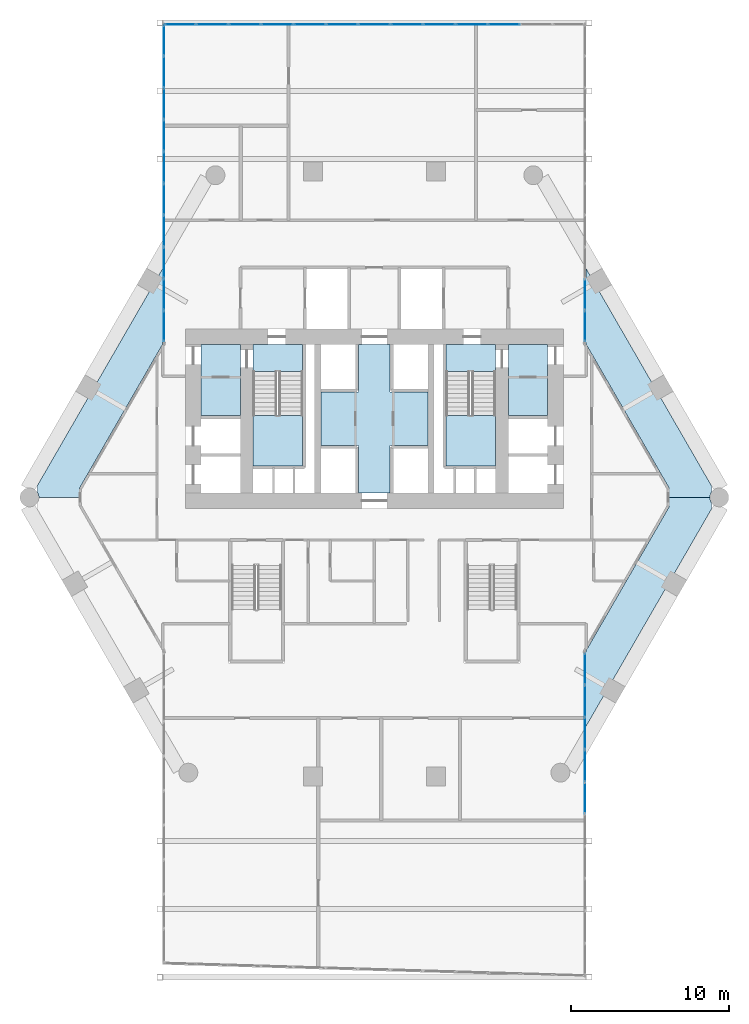
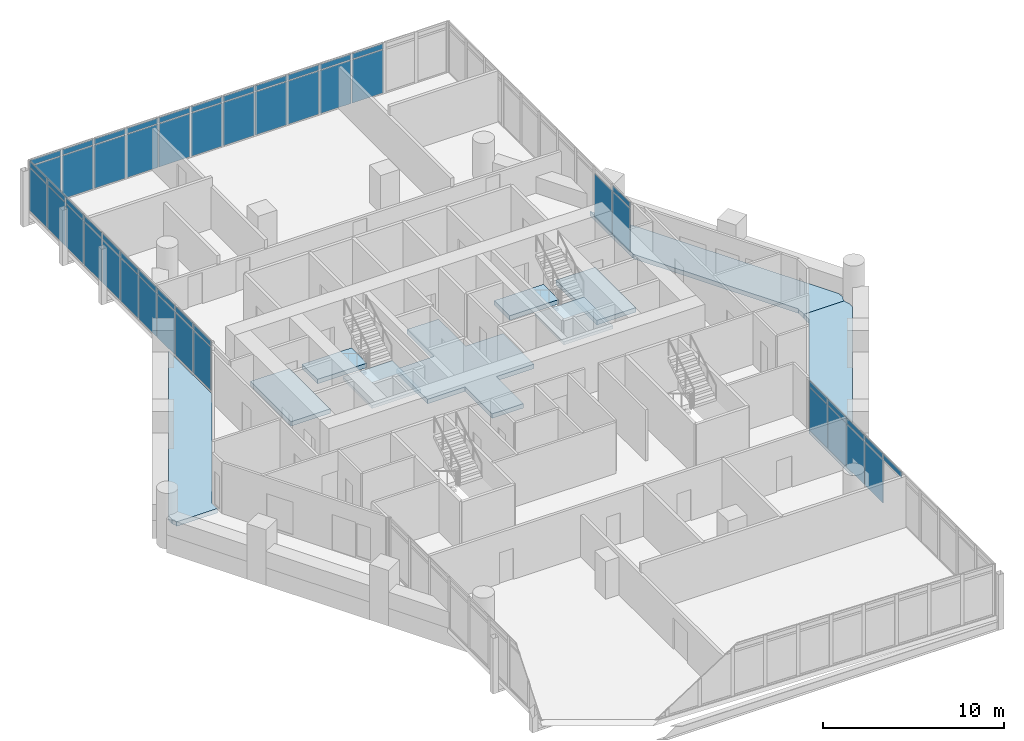
# One storey, part 21 of 28: 54 plates, 10 slabs, 6 elements without a shape of their own.
"""IFC4 building model written with IfcOpenShell, lengths in metres."""

from ifc_helpers import new_model, si_unit, direction, frame, origin, origin_2d, place, context, subcontext, project, spatial, polyline, rectangle, outline, extrude, material, layer, layer_set, type_object, element, aggregate, save


model = new_model("IFC4")

# Units and contexts
model_context = context("Model", 3, precision=1e-05, world=origin(), true_north=direction((0.0, 1.0)))
body_context = subcontext(model_context, "Body", "Model", "MODEL_VIEW")
ifc_project = project(units=[si_unit("LENGTHUNIT", "METRE"), si_unit("AREAUNIT", "SQUARE_METRE"), si_unit("VOLUMEUNIT", "CUBIC_METRE"), si_unit("PLANEANGLEUNIT", "RADIAN"), si_unit("MASSUNIT", "GRAM", prefix="KILO")], contexts=[model_context])

# Site, building, storey
site_placement = place(None, origin())
site = spatial("IfcSite", under=ifc_project, at=site_placement, CompositionType="ELEMENT")
building_placement = place(site_placement, origin())
building = spatial("IfcBuilding", under=site, at=building_placement, Name="Ostrander Bayou Hotel Tower", CompositionType="ELEMENT")
storey_placement = place(building_placement, frame((0.0, 0.0, 134.75)))
storey = spatial("IfcBuildingStorey", under=building, at=storey_placement, Name="L33", CompositionType="ELEMENT", Elevation=134.75)

# Curtain wall, plates
ifc_material_1 = material(Name="Aluminium and clear glass", Category="aluminium")
curtain_wall_type = type_object("IfcCurtainWallType", Name="CW-BAR glazed wall", PredefinedType="NOTDEFINED", material=ifc_material_1)
curtain_wall_1_placement = place(storey_placement, origin())
curtain_wall_1 = element("IfcCurtainWall", 1, at=curtain_wall_1_placement, inside=storey, type_object=curtain_wall_type, Name="CW-BAR L33:SB3S:W", PredefinedType="NOTDEFINED")
ifc_material_2 = material(Name="Clear laminated glass", Category="glass")
ifc_layer_1 = layer(ifc_material_2, 0.028076171875)
ifc_layer_set_1 = layer_set([ifc_layer_1], Name="CW-BR glazing panel 28 mm")
plate_type = type_object("IfcPlateType", Name="CW-BR glazing panel 28 mm", PredefinedType="CURTAIN_PANEL", material=ifc_layer_set_1)
plate_1_placement = place(storey_placement, frame((13.3671875, -11.88720703125, 0.06005859375), z_axis=(0.0, 0.0, 1.0), x_axis=(0.0, -1.0, 0.0)))
plate_1 = element("IfcPlate", 2, at=plate_1_placement, type_object=plate_type, Name="CW-BAR panel 1.1", PredefinedType="CURTAIN_PANEL", context=body_context, shape_type="SweptSolid", body=[
    extrude(rectangle(XDim=1.9599609375, YDim=0.028076171875, at=origin_2d()), origin(), (0.0, 0.0, 1.0), 2.909912109375),
])
plate_2_placement = place(storey_placement, frame((13.3671875, -11.88720703125, 3.02978515625), z_axis=(0.0, 0.0, 1.0), x_axis=(0.0, -1.0, 0.0)))
plate_2 = element("IfcPlate", 3, at=plate_2_placement, type_object=plate_type, Name="CW-BAR panel 1.2", PredefinedType="CURTAIN_PANEL", context=body_context, shape_type="SweptSolid", body=[
    extrude(rectangle(XDim=1.9599609375, YDim=0.028076171875, at=origin_2d()), origin(), (0.0, 0.0, 1.0), 0.360107421875),
])
plate_3_placement = place(storey_placement, frame((13.3671875, -13.92236328125, 0.06005859375), z_axis=(0.0, 0.0, 1.0), x_axis=(0.0, -1.0, 0.0)))
plate_3 = element("IfcPlate", 4, at=plate_3_placement, type_object=plate_type, Name="CW-BAR panel 2.1", PredefinedType="CURTAIN_PANEL", context=body_context, shape_type="SweptSolid", body=[
    extrude(rectangle(XDim=1.989990234375, YDim=0.028076171875, at=origin_2d()), origin(), (0.0, 0.0, 1.0), 2.909912109375),
])
plate_4_placement = place(storey_placement, frame((13.3671875, -13.92236328125, 3.02978515625), z_axis=(0.0, 0.0, 1.0), x_axis=(0.0, -1.0, 0.0)))
plate_4 = element("IfcPlate", 5, at=plate_4_placement, type_object=plate_type, Name="CW-BAR panel 2.2", PredefinedType="CURTAIN_PANEL", context=body_context, shape_type="SweptSolid", body=[
    extrude(rectangle(XDim=1.989990234375, YDim=0.028076171875, at=origin_2d()), origin(), (0.0, 0.0, 1.0), 0.360107421875),
])
plate_5_placement = place(storey_placement, frame((13.3671875, -15.972412109375, 0.06005859375), z_axis=(0.0, 0.0, 1.0), x_axis=(0.0, -1.0, 0.0)))
plate_5 = element("IfcPlate", 6, at=plate_5_placement, type_object=plate_type, Name="CW-BAR panel 3.1", PredefinedType="CURTAIN_PANEL", context=body_context, shape_type="SweptSolid", body=[
    extrude(rectangle(XDim=1.989990234375, YDim=0.028076171875, at=origin_2d()), origin(), (0.0, 0.0, 1.0), 2.909912109375),
])
plate_6_placement = place(storey_placement, frame((13.3671875, -15.972412109375, 3.02978515625), z_axis=(0.0, 0.0, 1.0), x_axis=(0.0, -1.0, 0.0)))
plate_6 = element("IfcPlate", 7, at=plate_6_placement, type_object=plate_type, Name="CW-BAR panel 3.2", PredefinedType="CURTAIN_PANEL", context=body_context, shape_type="SweptSolid", body=[
    extrude(rectangle(XDim=1.989990234375, YDim=0.028076171875, at=origin_2d()), origin(), (0.0, 0.0, 1.0), 0.360107421875),
])
plate_7_placement = place(storey_placement, frame((13.3671875, -18.0224609375, 0.06005859375), z_axis=(0.0, 0.0, 1.0), x_axis=(0.0, -1.0, 0.0)))
plate_7 = element("IfcPlate", 8, at=plate_7_placement, type_object=plate_type, Name="CW-BAR panel 4.1", PredefinedType="CURTAIN_PANEL", context=body_context, shape_type="SweptSolid", body=[
    extrude(rectangle(XDim=1.989990234375, YDim=0.028076171875, at=origin_2d()), origin(), (0.0, 0.0, 1.0), 2.909912109375),
])
plate_8_placement = place(storey_placement, frame((13.3671875, -18.0224609375, 3.02978515625), z_axis=(0.0, 0.0, 1.0), x_axis=(0.0, -1.0, 0.0)))
plate_8 = element("IfcPlate", 9, at=plate_8_placement, type_object=plate_type, Name="CW-BAR panel 4.2", PredefinedType="CURTAIN_PANEL", context=body_context, shape_type="SweptSolid", body=[
    extrude(rectangle(XDim=1.989990234375, YDim=0.028076171875, at=origin_2d()), origin(), (0.0, 0.0, 1.0), 0.360107421875),
])
plate_9_placement = place(storey_placement, frame((13.3671875, -20.072509765625, 3.02978515625), z_axis=(0.0, 0.0, 1.0), x_axis=(0.0, -1.0, 0.0)))
plate_9 = element("IfcPlate", 10, at=plate_9_placement, type_object=plate_type, Name="CW-BAR panel 5.2", PredefinedType="CURTAIN_PANEL", context=body_context, shape_type="SweptSolid", body=[
    extrude(rectangle(XDim=1.989990234375, YDim=0.028076171875, at=origin_2d()), origin(), (0.0, 0.0, 1.0), 0.360107421875),
])
aggregate(curtain_wall_1, [plate_1, plate_2, plate_3, plate_4, plate_5, plate_6, plate_7, plate_8, plate_9])

curtain_wall_2_placement = place(storey_placement, origin())
curtain_wall_2 = element("IfcCurtainWall", 11, at=curtain_wall_2_placement, inside=storey, type_object=curtain_wall_type, Name="CW-BAR L33:SB3N:E", PredefinedType="NOTDEFINED")
plate_10_placement = place(storey_placement, frame((-13.3671875, 9.885498046875, 0.06005859375), z_axis=(0.0, 0.0, 1.0), x_axis=(0.0, 1.0, 0.0)))
plate_10 = element("IfcPlate", 12, at=plate_10_placement, type_object=plate_type, Name="CW-BAR panel 1.1", PredefinedType="CURTAIN_PANEL", context=body_context, shape_type="SweptSolid", body=[
    extrude(rectangle(XDim=1.927490234375, YDim=0.028076171875, at=origin_2d()), origin(), (0.0, 0.0, 1.0), 2.909912109375),
])
plate_11_placement = place(storey_placement, frame((-13.3671875, 9.885498046875, 3.02978515625), z_axis=(0.0, 0.0, 1.0), x_axis=(0.0, 1.0, 0.0)))
plate_11 = element("IfcPlate", 13, at=plate_11_placement, type_object=plate_type, Name="CW-BAR panel 1.2", PredefinedType="CURTAIN_PANEL", context=body_context, shape_type="SweptSolid", body=[
    extrude(rectangle(XDim=1.927490234375, YDim=0.028076171875, at=origin_2d()), origin(), (0.0, 0.0, 1.0), 0.360107421875),
])
plate_12_placement = place(storey_placement, frame((-13.3671875, 11.887939453125, 0.06005859375), z_axis=(0.0, 0.0, 1.0), x_axis=(0.0, 1.0, 0.0)))
plate_12 = element("IfcPlate", 14, at=plate_12_placement, type_object=plate_type, Name="CW-BAR panel 2.1", PredefinedType="CURTAIN_PANEL", context=body_context, shape_type="SweptSolid", body=[
    extrude(rectangle(XDim=1.95751953125, YDim=0.028076171875, at=origin_2d()), origin(), (0.0, 0.0, 1.0), 2.909912109375),
])
plate_13_placement = place(storey_placement, frame((-13.3671875, 11.887939453125, 3.02978515625), z_axis=(0.0, 0.0, 1.0), x_axis=(0.0, 1.0, 0.0)))
plate_13 = element("IfcPlate", 15, at=plate_13_placement, type_object=plate_type, Name="CW-BAR panel 2.2", PredefinedType="CURTAIN_PANEL", context=body_context, shape_type="SweptSolid", body=[
    extrude(rectangle(XDim=1.95751953125, YDim=0.028076171875, at=origin_2d()), origin(), (0.0, 0.0, 1.0), 0.360107421875),
])
plate_14_placement = place(storey_placement, frame((-13.3671875, 13.905517578125, 0.06005859375), z_axis=(0.0, 0.0, 1.0), x_axis=(0.0, 1.0, 0.0)))
plate_14 = element("IfcPlate", 16, at=plate_14_placement, type_object=plate_type, Name="CW-BAR panel 3.1", PredefinedType="CURTAIN_PANEL", context=body_context, shape_type="SweptSolid", body=[
    extrude(rectangle(XDim=1.95751953125, YDim=0.028076171875, at=origin_2d()), origin(), (0.0, 0.0, 1.0), 2.909912109375),
])
plate_15_placement = place(storey_placement, frame((-13.3671875, 13.905517578125, 3.02978515625), z_axis=(0.0, 0.0, 1.0), x_axis=(0.0, 1.0, 0.0)))
plate_15 = element("IfcPlate", 17, at=plate_15_placement, type_object=plate_type, Name="CW-BAR panel 3.2", PredefinedType="CURTAIN_PANEL", context=body_context, shape_type="SweptSolid", body=[
    extrude(rectangle(XDim=1.95751953125, YDim=0.028076171875, at=origin_2d()), origin(), (0.0, 0.0, 1.0), 0.360107421875),
])
plate_16_placement = place(storey_placement, frame((-13.3671875, 15.923095703125, 0.06005859375), z_axis=(0.0, 0.0, 1.0), x_axis=(0.0, 1.0, 0.0)))
plate_16 = element("IfcPlate", 18, at=plate_16_placement, type_object=plate_type, Name="CW-BAR panel 4.1", PredefinedType="CURTAIN_PANEL", context=body_context, shape_type="SweptSolid", body=[
    extrude(rectangle(XDim=1.95751953125, YDim=0.028076171875, at=origin_2d()), origin(), (0.0, 0.0, 1.0), 2.909912109375),
])
plate_17_placement = place(storey_placement, frame((-13.3671875, 15.923095703125, 3.02978515625), z_axis=(0.0, 0.0, 1.0), x_axis=(0.0, 1.0, 0.0)))
plate_17 = element("IfcPlate", 19, at=plate_17_placement, type_object=plate_type, Name="CW-BAR panel 4.2", PredefinedType="CURTAIN_PANEL", context=body_context, shape_type="SweptSolid", body=[
    extrude(rectangle(XDim=1.95751953125, YDim=0.028076171875, at=origin_2d()), origin(), (0.0, 0.0, 1.0), 0.360107421875),
])
plate_18_placement = place(storey_placement, frame((-13.3671875, 17.940673828125, 0.06005859375), z_axis=(0.0, 0.0, 1.0), x_axis=(0.0, 1.0, 0.0)))
plate_18 = element("IfcPlate", 20, at=plate_18_placement, type_object=plate_type, Name="CW-BAR panel 5.1", PredefinedType="CURTAIN_PANEL", context=body_context, shape_type="SweptSolid", body=[
    extrude(rectangle(XDim=1.95751953125, YDim=0.028076171875, at=origin_2d()), origin(), (0.0, 0.0, 1.0), 2.909912109375),
])
plate_19_placement = place(storey_placement, frame((-13.3671875, 17.940673828125, 3.02978515625), z_axis=(0.0, 0.0, 1.0), x_axis=(0.0, 1.0, 0.0)))
plate_19 = element("IfcPlate", 21, at=plate_19_placement, type_object=plate_type, Name="CW-BAR panel 5.2", PredefinedType="CURTAIN_PANEL", context=body_context, shape_type="SweptSolid", body=[
    extrude(rectangle(XDim=1.95751953125, YDim=0.028076171875, at=origin_2d()), origin(), (0.0, 0.0, 1.0), 0.360107421875),
])
plate_20_placement = place(storey_placement, frame((-13.3671875, 19.958251953125, 0.06005859375), z_axis=(0.0, 0.0, 1.0), x_axis=(0.0, 1.0, 0.0)))
plate_20 = element("IfcPlate", 22, at=plate_20_placement, type_object=plate_type, Name="CW-BAR panel 6.1", PredefinedType="CURTAIN_PANEL", context=body_context, shape_type="SweptSolid", body=[
    extrude(rectangle(XDim=1.95751953125, YDim=0.028076171875, at=origin_2d()), origin(), (0.0, 0.0, 1.0), 2.909912109375),
])
plate_21_placement = place(storey_placement, frame((-13.3671875, 19.958251953125, 3.02978515625), z_axis=(0.0, 0.0, 1.0), x_axis=(0.0, 1.0, 0.0)))
plate_21 = element("IfcPlate", 23, at=plate_21_placement, type_object=plate_type, Name="CW-BAR panel 6.2", PredefinedType="CURTAIN_PANEL", context=body_context, shape_type="SweptSolid", body=[
    extrude(rectangle(XDim=1.95751953125, YDim=0.028076171875, at=origin_2d()), origin(), (0.0, 0.0, 1.0), 0.360107421875),
])
plate_22_placement = place(storey_placement, frame((-13.3671875, 21.975830078125, 0.06005859375), z_axis=(0.0, 0.0, 1.0), x_axis=(0.0, 1.0, 0.0)))
plate_22 = element("IfcPlate", 24, at=plate_22_placement, type_object=plate_type, Name="CW-BAR panel 7.1", PredefinedType="CURTAIN_PANEL", context=body_context, shape_type="SweptSolid", body=[
    extrude(rectangle(XDim=1.95751953125, YDim=0.028076171875, at=origin_2d()), origin(), (0.0, 0.0, 1.0), 2.909912109375),
])
plate_23_placement = place(storey_placement, frame((-13.3671875, 21.975830078125, 3.02978515625), z_axis=(0.0, 0.0, 1.0), x_axis=(0.0, 1.0, 0.0)))
plate_23 = element("IfcPlate", 25, at=plate_23_placement, type_object=plate_type, Name="CW-BAR panel 7.2", PredefinedType="CURTAIN_PANEL", context=body_context, shape_type="SweptSolid", body=[
    extrude(rectangle(XDim=1.95751953125, YDim=0.028076171875, at=origin_2d()), origin(), (0.0, 0.0, 1.0), 0.360107421875),
])
plate_24_placement = place(storey_placement, frame((-13.3671875, 23.9931640625, 0.06005859375), z_axis=(0.0, 0.0, 1.0), x_axis=(0.0, 1.0, 0.0)))
plate_24 = element("IfcPlate", 26, at=plate_24_placement, type_object=plate_type, Name="CW-BAR panel 8.1", PredefinedType="CURTAIN_PANEL", context=body_context, shape_type="SweptSolid", body=[
    extrude(rectangle(XDim=1.95751953125, YDim=0.028076171875, at=origin_2d()), origin(), (0.0, 0.0, 1.0), 2.909912109375),
])
plate_25_placement = place(storey_placement, frame((-13.3671875, 23.9931640625, 3.02978515625), z_axis=(0.0, 0.0, 1.0), x_axis=(0.0, 1.0, 0.0)))
plate_25 = element("IfcPlate", 27, at=plate_25_placement, type_object=plate_type, Name="CW-BAR panel 8.2", PredefinedType="CURTAIN_PANEL", context=body_context, shape_type="SweptSolid", body=[
    extrude(rectangle(XDim=1.95751953125, YDim=0.028076171875, at=origin_2d()), origin(), (0.0, 0.0, 1.0), 0.360107421875),
])
plate_26_placement = place(storey_placement, frame((-13.3671875, 26.0107421875, 0.06005859375), z_axis=(0.0, 0.0, 1.0), x_axis=(0.0, 1.0, 0.0)))
plate_26 = element("IfcPlate", 28, at=plate_26_placement, type_object=plate_type, Name="CW-BAR panel 9.1", PredefinedType="CURTAIN_PANEL", context=body_context, shape_type="SweptSolid", body=[
    extrude(rectangle(XDim=1.95751953125, YDim=0.028076171875, at=origin_2d()), origin(), (0.0, 0.0, 1.0), 2.909912109375),
])
plate_27_placement = place(storey_placement, frame((-13.3671875, 26.0107421875, 3.02978515625), z_axis=(0.0, 0.0, 1.0), x_axis=(0.0, 1.0, 0.0)))
plate_27 = element("IfcPlate", 29, at=plate_27_placement, type_object=plate_type, Name="CW-BAR panel 9.2", PredefinedType="CURTAIN_PANEL", context=body_context, shape_type="SweptSolid", body=[
    extrude(rectangle(XDim=1.95751953125, YDim=0.028076171875, at=origin_2d()), origin(), (0.0, 0.0, 1.0), 0.360107421875),
])
plate_28_placement = place(storey_placement, frame((-13.3671875, 28.013427734375, 0.06005859375), z_axis=(0.0, 0.0, 1.0), x_axis=(0.0, 1.0, 0.0)))
plate_28 = element("IfcPlate", 30, at=plate_28_placement, type_object=plate_type, Name="CW-BAR panel 10.1", PredefinedType="CURTAIN_PANEL", context=body_context, shape_type="SweptSolid", body=[
    extrude(rectangle(XDim=1.927490234375, YDim=0.028076171875, at=origin_2d()), origin(), (0.0, 0.0, 1.0), 2.909912109375),
])
plate_29_placement = place(storey_placement, frame((-13.3671875, 28.013427734375, 3.02978515625), z_axis=(0.0, 0.0, 1.0), x_axis=(0.0, 1.0, 0.0)))
plate_29 = element("IfcPlate", 31, at=plate_29_placement, type_object=plate_type, Name="CW-BAR panel 10.2", PredefinedType="CURTAIN_PANEL", context=body_context, shape_type="SweptSolid", body=[
    extrude(rectangle(XDim=1.927490234375, YDim=0.028076171875, at=origin_2d()), origin(), (0.0, 0.0, 1.0), 0.360107421875),
])
aggregate(curtain_wall_2, [plate_10, plate_11, plate_12, plate_13, plate_14, plate_15, plate_16, plate_17, plate_18, plate_19, plate_20, plate_21, plate_22, plate_23, plate_24, plate_25, plate_26, plate_27, plate_28, plate_29])

curtain_wall_3_placement = place(storey_placement, origin())
curtain_wall_3 = element("IfcCurtainWall", 32, at=curtain_wall_3_placement, inside=storey, type_object=curtain_wall_type, Name="CW-BAR L33:SB3N:T", PredefinedType="NOTDEFINED")
plate_30_placement = place(storey_placement, frame((-12.323974609375, 29.037109375, 0.06005859375), z_axis=(0.0, 0.0, 1.0), x_axis=(1.0, 0.0, 0.0)))
plate_30 = element("IfcPlate", 33, at=plate_30_placement, type_object=plate_type, Name="CW-BAR panel 1.1", PredefinedType="CURTAIN_PANEL", context=body_context, shape_type="SweptSolid", body=[
    extrude(rectangle(XDim=1.966552734375, YDim=0.028076171875, at=origin_2d()), origin(), (0.0, 0.0, 1.0), 2.909912109375),
])
plate_31_placement = place(storey_placement, frame((-12.323974609375, 29.037109375, 3.02978515625), z_axis=(0.0, 0.0, 1.0), x_axis=(1.0, 0.0, 0.0)))
plate_31 = element("IfcPlate", 34, at=plate_31_placement, type_object=plate_type, Name="CW-BAR panel 1.2", PredefinedType="CURTAIN_PANEL", context=body_context, shape_type="SweptSolid", body=[
    extrude(rectangle(XDim=1.966552734375, YDim=0.028076171875, at=origin_2d()), origin(), (0.0, 0.0, 1.0), 0.360107421875),
])
plate_32_placement = place(storey_placement, frame((-10.282470703125, 29.037109375, 0.06005859375), z_axis=(0.0, 0.0, 1.0), x_axis=(1.0, 0.0, 0.0)))
plate_32 = element("IfcPlate", 35, at=plate_32_placement, type_object=plate_type, Name="CW-BAR panel 2.1", PredefinedType="CURTAIN_PANEL", context=body_context, shape_type="SweptSolid", body=[
    extrude(rectangle(XDim=1.99658203125, YDim=0.028076171875, at=origin_2d()), origin(), (0.0, 0.0, 1.0), 2.909912109375),
])
plate_33_placement = place(storey_placement, frame((-10.282470703125, 29.037109375, 3.02978515625), z_axis=(0.0, 0.0, 1.0), x_axis=(1.0, 0.0, 0.0)))
plate_33 = element("IfcPlate", 36, at=plate_33_placement, type_object=plate_type, Name="CW-BAR panel 2.2", PredefinedType="CURTAIN_PANEL", context=body_context, shape_type="SweptSolid", body=[
    extrude(rectangle(XDim=1.99658203125, YDim=0.028076171875, at=origin_2d()), origin(), (0.0, 0.0, 1.0), 0.360107421875),
])
plate_34_placement = place(storey_placement, frame((-8.22607421875, 29.037109375, 0.06005859375), z_axis=(0.0, 0.0, 1.0), x_axis=(1.0, 0.0, 0.0)))
plate_34 = element("IfcPlate", 37, at=plate_34_placement, type_object=plate_type, Name="CW-BAR panel 3.1", PredefinedType="CURTAIN_PANEL", context=body_context, shape_type="SweptSolid", body=[
    extrude(rectangle(XDim=1.99658203125, YDim=0.028076171875, at=origin_2d()), origin(), (0.0, 0.0, 1.0), 2.909912109375),
])
plate_35_placement = place(storey_placement, frame((-8.22607421875, 29.037109375, 3.02978515625), z_axis=(0.0, 0.0, 1.0), x_axis=(1.0, 0.0, 0.0)))
plate_35 = element("IfcPlate", 38, at=plate_35_placement, type_object=plate_type, Name="CW-BAR panel 3.2", PredefinedType="CURTAIN_PANEL", context=body_context, shape_type="SweptSolid", body=[
    extrude(rectangle(XDim=1.99658203125, YDim=0.028076171875, at=origin_2d()), origin(), (0.0, 0.0, 1.0), 0.360107421875),
])
plate_36_placement = place(storey_placement, frame((-6.16943359375, 29.037109375, 0.06005859375), z_axis=(0.0, 0.0, 1.0), x_axis=(1.0, 0.0, 0.0)))
plate_36 = element("IfcPlate", 39, at=plate_36_placement, type_object=plate_type, Name="CW-BAR panel 4.1", PredefinedType="CURTAIN_PANEL", context=body_context, shape_type="SweptSolid", body=[
    extrude(rectangle(XDim=1.99658203125, YDim=0.028076171875, at=origin_2d()), origin(), (0.0, 0.0, 1.0), 2.909912109375),
])
plate_37_placement = place(storey_placement, frame((-6.16943359375, 29.037109375, 3.02978515625), z_axis=(0.0, 0.0, 1.0), x_axis=(1.0, 0.0, 0.0)))
plate_37 = element("IfcPlate", 40, at=plate_37_placement, type_object=plate_type, Name="CW-BAR panel 4.2", PredefinedType="CURTAIN_PANEL", context=body_context, shape_type="SweptSolid", body=[
    extrude(rectangle(XDim=1.99658203125, YDim=0.028076171875, at=origin_2d()), origin(), (0.0, 0.0, 1.0), 0.360107421875),
])
plate_38_placement = place(storey_placement, frame((-4.113037109375, 29.037109375, 0.06005859375), z_axis=(0.0, 0.0, 1.0), x_axis=(1.0, 0.0, 0.0)))
plate_38 = element("IfcPlate", 41, at=plate_38_placement, type_object=plate_type, Name="CW-BAR panel 5.1", PredefinedType="CURTAIN_PANEL", context=body_context, shape_type="SweptSolid", body=[
    extrude(rectangle(XDim=1.99658203125, YDim=0.028076171875, at=origin_2d()), origin(), (0.0, 0.0, 1.0), 2.909912109375),
])
plate_39_placement = place(storey_placement, frame((-4.113037109375, 29.037109375, 3.02978515625), z_axis=(0.0, 0.0, 1.0), x_axis=(1.0, 0.0, 0.0)))
plate_39 = element("IfcPlate", 42, at=plate_39_placement, type_object=plate_type, Name="CW-BAR panel 5.2", PredefinedType="CURTAIN_PANEL", context=body_context, shape_type="SweptSolid", body=[
    extrude(rectangle(XDim=1.99658203125, YDim=0.028076171875, at=origin_2d()), origin(), (0.0, 0.0, 1.0), 0.360107421875),
])
plate_40_placement = place(storey_placement, frame((-2.056396484375, 29.037109375, 0.06005859375), z_axis=(0.0, 0.0, 1.0), x_axis=(1.0, 0.0, 0.0)))
plate_40 = element("IfcPlate", 43, at=plate_40_placement, type_object=plate_type, Name="CW-BAR panel 6.1", PredefinedType="CURTAIN_PANEL", context=body_context, shape_type="SweptSolid", body=[
    extrude(rectangle(XDim=1.99658203125, YDim=0.028076171875, at=origin_2d()), origin(), (0.0, 0.0, 1.0), 2.909912109375),
])
plate_41_placement = place(storey_placement, frame((-2.056396484375, 29.037109375, 3.02978515625), z_axis=(0.0, 0.0, 1.0), x_axis=(1.0, 0.0, 0.0)))
plate_41 = element("IfcPlate", 44, at=plate_41_placement, type_object=plate_type, Name="CW-BAR panel 6.2", PredefinedType="CURTAIN_PANEL", context=body_context, shape_type="SweptSolid", body=[
    extrude(rectangle(XDim=1.99658203125, YDim=0.028076171875, at=origin_2d()), origin(), (0.0, 0.0, 1.0), 0.360107421875),
])
plate_42_placement = place(storey_placement, frame((0.0, 29.037109375, 0.06005859375), z_axis=(0.0, 0.0, 1.0), x_axis=(1.0, 0.0, 0.0)))
plate_42 = element("IfcPlate", 45, at=plate_42_placement, type_object=plate_type, Name="CW-BAR panel 7.1", PredefinedType="CURTAIN_PANEL", context=body_context, shape_type="SweptSolid", body=[
    extrude(rectangle(XDim=1.99658203125, YDim=0.028076171875, at=origin_2d()), origin(), (0.0, 0.0, 1.0), 2.909912109375),
])
plate_43_placement = place(storey_placement, frame((0.0, 29.037109375, 3.02978515625), z_axis=(0.0, 0.0, 1.0), x_axis=(1.0, 0.0, 0.0)))
plate_43 = element("IfcPlate", 46, at=plate_43_placement, type_object=plate_type, Name="CW-BAR panel 7.2", PredefinedType="CURTAIN_PANEL", context=body_context, shape_type="SweptSolid", body=[
    extrude(rectangle(XDim=1.99658203125, YDim=0.028076171875, at=origin_2d()), origin(), (0.0, 0.0, 1.0), 0.360107421875),
])
plate_44_placement = place(storey_placement, frame((2.056396484375, 29.037109375, 0.06005859375), z_axis=(0.0, 0.0, 1.0), x_axis=(1.0, 0.0, 0.0)))
plate_44 = element("IfcPlate", 47, at=plate_44_placement, type_object=plate_type, Name="CW-BAR panel 8.1", PredefinedType="CURTAIN_PANEL", context=body_context, shape_type="SweptSolid", body=[
    extrude(rectangle(XDim=1.99658203125, YDim=0.028076171875, at=origin_2d()), origin(), (0.0, 0.0, 1.0), 2.909912109375),
])
plate_45_placement = place(storey_placement, frame((2.056396484375, 29.037109375, 3.02978515625), z_axis=(0.0, 0.0, 1.0), x_axis=(1.0, 0.0, 0.0)))
plate_45 = element("IfcPlate", 48, at=plate_45_placement, type_object=plate_type, Name="CW-BAR panel 8.2", PredefinedType="CURTAIN_PANEL", context=body_context, shape_type="SweptSolid", body=[
    extrude(rectangle(XDim=1.99658203125, YDim=0.028076171875, at=origin_2d()), origin(), (0.0, 0.0, 1.0), 0.360107421875),
])
plate_46_placement = place(storey_placement, frame((4.113037109375, 29.037109375, 0.06005859375), z_axis=(0.0, 0.0, 1.0), x_axis=(1.0, 0.0, 0.0)))
plate_46 = element("IfcPlate", 49, at=plate_46_placement, type_object=plate_type, Name="CW-BAR panel 9.1", PredefinedType="CURTAIN_PANEL", context=body_context, shape_type="SweptSolid", body=[
    extrude(rectangle(XDim=1.99658203125, YDim=0.028076171875, at=origin_2d()), origin(), (0.0, 0.0, 1.0), 2.909912109375),
])
plate_47_placement = place(storey_placement, frame((4.113037109375, 29.037109375, 3.02978515625), z_axis=(0.0, 0.0, 1.0), x_axis=(1.0, 0.0, 0.0)))
plate_47 = element("IfcPlate", 50, at=plate_47_placement, type_object=plate_type, Name="CW-BAR panel 9.2", PredefinedType="CURTAIN_PANEL", context=body_context, shape_type="SweptSolid", body=[
    extrude(rectangle(XDim=1.99658203125, YDim=0.028076171875, at=origin_2d()), origin(), (0.0, 0.0, 1.0), 0.360107421875),
])
plate_48_placement = place(storey_placement, frame((6.16943359375, 29.037109375, 0.06005859375), z_axis=(0.0, 0.0, 1.0), x_axis=(1.0, 0.0, 0.0)))
plate_48 = element("IfcPlate", 51, at=plate_48_placement, type_object=plate_type, Name="CW-BAR panel 10.1", PredefinedType="CURTAIN_PANEL", context=body_context, shape_type="SweptSolid", body=[
    extrude(rectangle(XDim=1.99658203125, YDim=0.028076171875, at=origin_2d()), origin(), (0.0, 0.0, 1.0), 2.909912109375),
])
plate_49_placement = place(storey_placement, frame((6.16943359375, 29.037109375, 3.02978515625), z_axis=(0.0, 0.0, 1.0), x_axis=(1.0, 0.0, 0.0)))
plate_49 = element("IfcPlate", 52, at=plate_49_placement, type_object=plate_type, Name="CW-BAR panel 10.2", PredefinedType="CURTAIN_PANEL", context=body_context, shape_type="SweptSolid", body=[
    extrude(rectangle(XDim=1.99658203125, YDim=0.028076171875, at=origin_2d()), origin(), (0.0, 0.0, 1.0), 0.360107421875),
])
plate_50_placement = place(storey_placement, frame((8.22607421875, 29.037109375, 0.06005859375), z_axis=(0.0, 0.0, 1.0), x_axis=(1.0, 0.0, 0.0)))
plate_50 = element("IfcPlate", 53, at=plate_50_placement, type_object=plate_type, Name="CW-BAR panel 11.1", PredefinedType="CURTAIN_PANEL", context=body_context, shape_type="SweptSolid", body=[
    extrude(rectangle(XDim=1.99658203125, YDim=0.028076171875, at=origin_2d()), origin(), (0.0, 0.0, 1.0), 2.909912109375),
])
plate_51_placement = place(storey_placement, frame((8.22607421875, 29.037109375, 3.02978515625), z_axis=(0.0, 0.0, 1.0), x_axis=(1.0, 0.0, 0.0)))
plate_51 = element("IfcPlate", 54, at=plate_51_placement, type_object=plate_type, Name="CW-BAR panel 11.2", PredefinedType="CURTAIN_PANEL", context=body_context, shape_type="SweptSolid", body=[
    extrude(rectangle(XDim=1.99658203125, YDim=0.028076171875, at=origin_2d()), origin(), (0.0, 0.0, 1.0), 0.360107421875),
])
aggregate(curtain_wall_3, [plate_30, plate_31, plate_32, plate_33, plate_34, plate_35, plate_36, plate_37, plate_38, plate_39, plate_40, plate_41, plate_42, plate_43, plate_44, plate_45, plate_46, plate_47, plate_48, plate_49, plate_50, plate_51])

curtain_wall_4_placement = place(storey_placement, origin())
curtain_wall_4 = element("IfcCurtainWall", 55, at=curtain_wall_4_placement, inside=storey, type_object=curtain_wall_type, Name="CW-BAR L33:SB3N:W", PredefinedType="NOTDEFINED")
plate_52_placement = place(storey_placement, frame((13.3671875, 9.885498046875, 0.06005859375), z_axis=(0.0, 0.0, 1.0), x_axis=(0.0, 1.0, 0.0)))
plate_52 = element("IfcPlate", 56, at=plate_52_placement, type_object=plate_type, Name="CW-BAR panel 1.1", PredefinedType="CURTAIN_PANEL", context=body_context, shape_type="SweptSolid", body=[
    extrude(rectangle(XDim=1.927490234375, YDim=0.028076171875, at=origin_2d()), origin(), (0.0, 0.0, 1.0), 2.909912109375),
])
plate_53_placement = place(storey_placement, frame((13.3671875, 9.885498046875, 3.02978515625), z_axis=(0.0, 0.0, 1.0), x_axis=(0.0, 1.0, 0.0)))
plate_53 = element("IfcPlate", 57, at=plate_53_placement, type_object=plate_type, Name="CW-BAR panel 1.2", PredefinedType="CURTAIN_PANEL", context=body_context, shape_type="SweptSolid", body=[
    extrude(rectangle(XDim=1.927490234375, YDim=0.028076171875, at=origin_2d()), origin(), (0.0, 0.0, 1.0), 0.360107421875),
])
plate_54_placement = place(storey_placement, frame((13.3671875, 11.887939453125, 0.06005859375), z_axis=(0.0, 0.0, 1.0), x_axis=(0.0, 1.0, 0.0)))
plate_54 = element("IfcPlate", 58, at=plate_54_placement, type_object=plate_type, Name="CW-BAR panel 2.1", PredefinedType="CURTAIN_PANEL", context=body_context, shape_type="SweptSolid", body=[
    extrude(rectangle(XDim=1.95751953125, YDim=0.028076171875, at=origin_2d()), origin(), (0.0, 0.0, 1.0), 2.909912109375),
])
aggregate(curtain_wall_4, [plate_52, plate_53, plate_54])

# Slabs
ifc_material_3 = material(Name="Concrete f'c 40 MPa", Category="concrete")
ifc_layer_2 = layer(ifc_material_3, 0.300048828125)
ifc_layer_set_2 = layer_set([ifc_layer_2], Name="SL1 floor slab 300 mm f'c 40 MPa")
slab_type_1 = type_object("IfcSlabType", Name="SL1 floor slab 300 mm f'c 40 MPa", PredefinedType="FLOOR", material=ifc_layer_set_2)
slab_1_placement = place(storey_placement, frame((0.0, 0.0, -0.300048828125)))
element("IfcSlab", 59, at=slab_1_placement, inside=storey, type_object=slab_type_1, Name="cslab:L33:001", PredefinedType="FLOOR", context=body_context, shape_type="SweptSolid", body=[
    extrude(outline(polyline([(-3.39990234375, 5.699951171875), (-1.0, 5.699951171875), (-1.0, 8.699951171875), (1.0, 8.699951171875), (1.0, 5.699951171875), (3.39990234375, 5.699951171875), (3.39990234375, 2.300048828125), (1.0, 2.300048828125), (1.0, -0.699951171875), (-1.0, -0.699951171875), (-1.0, 2.300048828125), (-3.39990234375, 2.300048828125), (-3.39990234375, 5.699951171875)])), origin(), (0.0, 0.0, 1.0), 0.300048828125),
])
slab_2_placement = place(storey_placement, frame((0.0, 0.0, -0.300048828125)))
element("IfcSlab", 60, at=slab_2_placement, inside=storey, type_object=slab_type_1, Name="cslab:L33:002", PredefinedType="FLOOR", context=body_context, shape_type="SweptSolid", body=[
    extrude(outline(polyline([(-8.5, 4.199951171875), (-8.5, 8.699951171875), (-11.0, 8.699951171875), (-11.0, 4.199951171875), (-8.5, 4.199951171875)])), origin(), (0.0, 0.0, 1.0), 0.300048828125),
])
slab_3_placement = place(storey_placement, frame((0.0, 0.0, -0.300048828125)))
element("IfcSlab", 61, at=slab_3_placement, inside=storey, type_object=slab_type_1, Name="cslab:L33:003", PredefinedType="FLOOR", context=body_context, shape_type="SweptSolid", body=[
    extrude(outline(polyline([(11.0, 4.199951171875), (11.0, 8.699951171875), (8.5, 8.699951171875), (8.5, 4.199951171875), (11.0, 4.199951171875)])), origin(), (0.0, 0.0, 1.0), 0.300048828125),
])
slab_4_placement = place(storey_placement, frame((0.0, 0.0, -0.300048828125)))
element("IfcSlab", 62, at=slab_4_placement, inside=storey, type_object=slab_type_1, Name="cslab:L33:004", PredefinedType="FLOOR", context=body_context, shape_type="SweptSolid", body=[
    extrude(outline(polyline([(-4.550048828125, 7.0), (-4.550048828125, 8.699951171875), (-7.699951171875, 8.699951171875), (-7.699951171875, 7.0), (-4.550048828125, 7.0)])), origin(), (0.0, 0.0, 1.0), 0.300048828125),
])
slab_5_placement = place(storey_placement, frame((0.0, 0.0, -0.300048828125)))
element("IfcSlab", 63, at=slab_5_placement, inside=storey, type_object=slab_type_1, Name="cslab:L33:005", PredefinedType="FLOOR", context=body_context, shape_type="SweptSolid", body=[
    extrude(outline(polyline([(7.699951171875, 7.0), (7.699951171875, 8.699951171875), (4.550048828125, 8.699951171875), (4.550048828125, 7.0), (7.699951171875, 7.0)])), origin(), (0.0, 0.0, 1.0), 0.300048828125),
])
ifc_material_4 = material(Name="Concrete f'c 40 MPa", Category="concrete")
ifc_layer_3 = layer(ifc_material_4, 0.300048828125)
ifc_layer_set_3 = layer_set([ifc_layer_3], Name="SL4 loggia slab 300 mm f'c 40 MPa")
slab_type_2 = type_object("IfcSlabType", Name="SL4 loggia slab 300 mm f'c 40 MPa", PredefinedType="FLOOR", material=ifc_layer_set_3)
slab_6_placement = place(storey_placement, frame((0.0, 0.0, -0.300048828125)))
element("IfcSlab", 64, at=slab_6_placement, inside=storey, type_object=slab_type_2, Name="SL4 LOGGIA L33 NW 1", PredefinedType="FLOOR", context=body_context, shape_type="SweptSolid", body=[
    extrude(outline(polyline([(-13.442138671875, 13.53173828125), (-13.442138671875, 8.731689453125), (-18.710205078125, -0.392822265625), (-18.710205078125, -0.992919921875), (-21.2958984375, -0.992919921875), (-21.3076171875, -0.875732421875), (-21.341552734375, -0.76318359375), (-21.39501953125, -0.663330078125), (-21.39501953125, -0.242919921875), (-17.609619140625, 6.31396484375), (-14.272705078125, 12.09326171875), (-13.662109375, 13.151123046875), (-13.442138671875, 13.53173828125)])), origin(), (0.0, 0.0, 1.0), 0.300048828125),
])
slab_7_placement = place(storey_placement, frame((0.0, 0.0, -0.300048828125)))
element("IfcSlab", 65, at=slab_7_placement, inside=storey, type_object=slab_type_2, Name="SL4 LOGGIA L33 SE 1", PredefinedType="FLOOR", context=body_context, shape_type="SweptSolid", body=[
    extrude(outline(polyline([(15.132568359375, -12.589599609375), (14.5625, -13.576904296875), (13.442138671875, -15.517333984375), (13.442138671875, -10.71728515625), (18.710205078125, -1.5927734375), (18.710205078125, -0.992919921875), (21.2958984375, -0.992919921875), (21.3076171875, -1.10986328125), (21.341552734375, -1.222412109375), (21.39501953125, -1.322265625), (21.39501953125, -1.742919921875), (19.039306640625, -5.822998046875), (18.46923828125, -6.810302734375), (15.132568359375, -12.589599609375)])), origin(), (0.0, 0.0, 1.0), 0.300048828125),
])
slab_8_placement = place(storey_placement, frame((0.0, 0.0, -0.300048828125)))
element("IfcSlab", 66, at=slab_8_placement, inside=storey, type_object=slab_type_2, Name="SL4 LOGGIA L33 NE 1", PredefinedType="FLOOR", context=body_context, shape_type="SweptSolid", body=[
    extrude(outline(polyline([(13.442138671875, 13.53173828125), (13.70263671875, 13.08056640625), (14.272705078125, 12.09326171875), (17.609619140625, 6.31396484375), (18.179443359375, 5.32666015625), (21.39501953125, -0.242919921875), (21.39501953125, -0.663330078125), (21.341552734375, -0.76318359375), (21.3076171875, -0.875732421875), (21.2958984375, -0.992919921875), (18.710205078125, -0.992919921875), (18.710205078125, -0.392822265625), (13.442138671875, 8.731689453125), (13.442138671875, 13.53173828125)])), origin(), (0.0, 0.0, 1.0), 0.300048828125),
])

# Stair, slab
ifc_material_5 = material(Name="Concrete f'c 45 MPa", Category="concrete")
stair_type = type_object("IfcStairType", Name="ST1 exit stair 1500 mm f'c 45 MPa", PredefinedType="HALF_TURN_STAIR", material=ifc_material_5)
stair_1_placement = place(storey_placement, origin())
stair_1 = element("IfcStair", 67, at=stair_1_placement, inside=storey, type_object=stair_type, Name="L33 exit stair A", PredefinedType="HALF_TURN_STAIR")
ifc_material_6 = material(Name="Concrete f'c 45 MPa", Category="concrete")
ifc_layer_4 = layer(ifc_material_6, 0.199951171875)
ifc_layer_set_4 = layer_set([ifc_layer_4], Name="SL8 stair landing 200 mm f'c 45 MPa")
slab_type_3 = type_object("IfcSlabType", Name="SL8 stair landing 200 mm f'c 45 MPa", PredefinedType="LANDING", material=ifc_layer_set_4)
slab_9_placement = place(storey_placement, frame((0.0, 0.0, 1.675048828125)))
slab_9 = element("IfcSlab", 68, at=slab_9_placement, type_object=slab_type_3, Name="STA landing 1", PredefinedType="LANDING", context=body_context, shape_type="SweptSolid", body=[
    extrude(outline(polyline([(-7.699951171875, 4.199951171875), (-7.699951171875, 1.0), (-4.550048828125, 1.0), (-4.550048828125, 4.199951171875), (-7.699951171875, 4.199951171875)])), origin(), (0.0, 0.0, 1.0), 0.199951171875),
])
aggregate(stair_1, [slab_9])

stair_2_placement = place(storey_placement, origin())
stair_2 = element("IfcStair", 69, at=stair_2_placement, inside=storey, type_object=stair_type, Name="L33 exit stair B", PredefinedType="HALF_TURN_STAIR")
slab_10_placement = place(storey_placement, frame((0.0, 0.0, 1.675048828125)))
slab_10 = element("IfcSlab", 70, at=slab_10_placement, type_object=slab_type_3, Name="STB landing 1", PredefinedType="LANDING", context=body_context, shape_type="SweptSolid", body=[
    extrude(outline(polyline([(4.550048828125, 4.199951171875), (4.550048828125, 1.0), (7.699951171875, 1.0), (7.699951171875, 4.199951171875), (4.550048828125, 4.199951171875)])), origin(), (0.0, 0.0, 1.0), 0.199951171875),
])
aggregate(stair_2, [slab_10])

save(model, "model.ifc")
